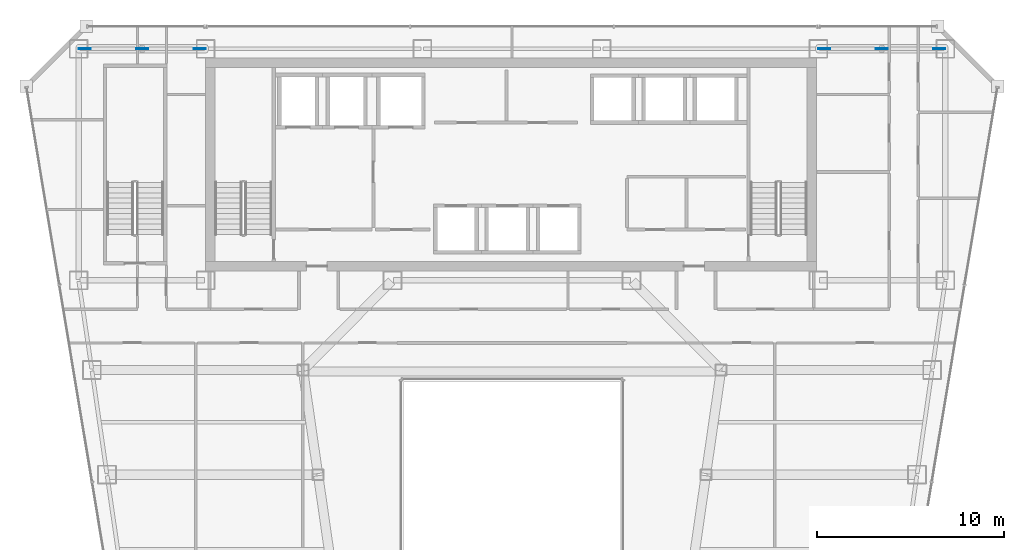
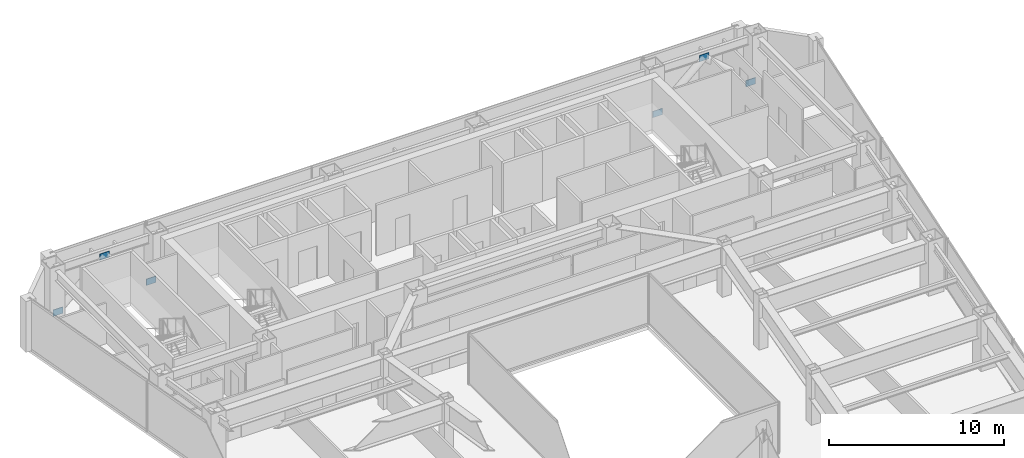
# One storey, part 30 of 37: 6 plates.
"""IFC4 building model written with IfcOpenShell, lengths in metres."""

import ifcopenshell
import ifcopenshell.guid

model = None  # the IFC model being written
_history = None  # IfcOwnerHistory: only IFC2X3 demands one
_inside = {}  # id of a spatial element -> (the spatial element, [elements in it])
_under = {}  # id of a project, library or spatial element -> (it, [spatial elements below it])
_declared = {}  # id of a project -> (the project, [libraries it declares])
_typed = {}  # id of a type object -> (the type object, [elements of that type])
_made_of = {}  # id of a material, layer set ... -> (it, [elements and type objects made of it])


def new_model(schema):
    """Start an empty IFC model of exactly this schema.

    Asked for "IFC4X3", IfcOpenShell would pick the latest addendum, in which some entities
    have other attributes; the version numbers below select the first issue.
    IFC2X3 requires an IfcOwnerHistory on every rooted entity: one is made here for all.
    """
    global model, _history
    if schema == "IFC4X3":
        model = ifcopenshell.file(schema_version=(4, 3, 0, 0))
    else:
        model = ifcopenshell.file(schema=schema)
    _inside.clear()
    _under.clear()
    _declared.clear()
    _typed.clear()
    _made_of.clear()
    _history = None
    if model.schema == "IFC2X3":
        org = make("IfcOrganization", Name="unknown")
        user = make(
            "IfcPersonAndOrganization",
            ThePerson=make("IfcPerson", FamilyName="unknown"),
            TheOrganization=org,
        )
        app = make(
            "IfcApplication",
            ApplicationDeveloper=org,
            Version="unknown",
            ApplicationFullName="unknown",
            ApplicationIdentifier="unknown",
        )
        _history = make(
            "IfcOwnerHistory",
            OwningUser=user,
            OwningApplication=app,
            ChangeAction="ADDED",
            CreationDate=0,
        )
    return model


def make(cls, **values):
    """One entity of the class cls with the attributes given. An attribute that is None is left unset."""
    return model.create_entity(
        cls, **{name: value for name, value in values.items() if value is not None}
    )


def rooted(cls, **values):
    """An entity with a GlobalId (a new one), such as an element, a storey or a relation."""
    return make(cls, GlobalId=ifcopenshell.guid.new(), OwnerHistory=_history, **values)


def si_unit(unit_type, name, prefix=None):
    """IfcSIUnit, for example si_unit("LENGTHUNIT", "METRE", prefix="MILLI")."""
    return make("IfcSIUnit", UnitType=unit_type, Prefix=prefix, Name=name)


def assignment(units):
    """IfcUnitAssignment: the units of a project."""
    return None if units is None else make("IfcUnitAssignment", Units=units)


def point(xyz):
    """IfcCartesianPoint."""
    return None if xyz is None else make("IfcCartesianPoint", Coordinates=xyz)


def direction(xyz):
    """IfcDirection."""
    return None if xyz is None else make("IfcDirection", DirectionRatios=xyz)


def frame(location, z_axis=None, x_axis=None):
    """IfcAxis2Placement3D, a coordinate frame: its origin and axes. An axis left out is left unset."""
    return make(
        "IfcAxis2Placement3D",
        Location=point(location),
        Axis=direction(z_axis),
        RefDirection=direction(x_axis),
    )


def frame_2d(location, x_axis=None):
    """IfcAxis2Placement2D, a coordinate frame in the plane: its origin and x axis."""
    return make(
        "IfcAxis2Placement2D", Location=point(location), RefDirection=direction(x_axis)
    )


def origin():
    """The frame at (0, 0, 0) with its axes left unset."""
    return frame((0.0, 0.0, 0.0))


def origin_2d():
    """The frame at (0, 0) in the plane with its x axis left unset."""
    return frame_2d((0.0, 0.0))


def place(relative_to, where):
    """IfcLocalPlacement: puts the frame where relative to a parent placement (None: the world)."""
    return make(
        "IfcLocalPlacement", PlacementRelTo=relative_to, RelativePlacement=where
    )


def context(
    kind, dimensions, precision=None, world=None, true_north=None, identifier=None
):
    """IfcGeometricRepresentationContext, for example the 3D "Model" context."""
    return make(
        "IfcGeometricRepresentationContext",
        ContextIdentifier=identifier,
        ContextType=kind,
        CoordinateSpaceDimension=dimensions,
        Precision=precision,
        WorldCoordinateSystem=world,
        TrueNorth=true_north,
    )


def subcontext(parent, identifier, kind, view, scale=None):
    """IfcGeometricRepresentationSubContext, for example "Body" below "Model"."""
    return make(
        "IfcGeometricRepresentationSubContext",
        ContextIdentifier=identifier,
        ContextType=kind,
        ParentContext=parent,
        TargetScale=scale,
        TargetView=view,
    )


def project(units=None, contexts=None):
    """IfcProject with its units and contexts."""
    return rooted(
        "IfcProject",
        Name="project",
        RepresentationContexts=contexts,
        UnitsInContext=assignment(units),
    )


def spatial(cls, under=None, at=None, **own):
    """A site, building, storey or space (cls), placed at a placement, below another one or the project."""
    s = rooted(cls, ObjectPlacement=at, **own)
    if under is not None:
        _under.setdefault(under.id(), (under, []))[1].append(s)
    return s


def profile(cls, at=None, kind="AREA", **sizes):
    """A parametric profile (cls). Its sizes go by their IFC names, for example OverallWidth=200.0."""
    return make(cls, ProfileType=kind, Position=at, **sizes)


def rectangle(**sizes):
    """IfcRectangleProfileDef."""
    return profile("IfcRectangleProfileDef", **sizes)


def extrude(swept, where, along, depth):
    """IfcExtrudedAreaSolid: the profile swept, set in the frame where, extruded along a direction by depth."""
    return make(
        "IfcExtrudedAreaSolid",
        SweptArea=swept,
        Position=where,
        ExtrudedDirection=direction(along),
        Depth=depth,
    )


def shape(context_of_items, identifier, shape_type, items):
    """IfcShapeRepresentation: the items that make up one representation, for example the "Body"."""
    return make(
        "IfcShapeRepresentation",
        ContextOfItems=context_of_items,
        RepresentationIdentifier=identifier,
        RepresentationType=shape_type,
        Items=items,
    )


def material(Name=None, Category=None):
    """IfcMaterial."""
    return make("IfcMaterial", Name=Name, Category=Category)


def layer(
    of_material, thickness, ventilated=None, Name=None, Category=None, Priority=None
):
    """IfcMaterialLayer: one layer of a wall or slab, of a material (None: an air gap)."""
    return make(
        "IfcMaterialLayer",
        Material=of_material,
        LayerThickness=thickness,
        IsVentilated=ventilated,
        Name=Name,
        Category=Category,
        Priority=Priority,
    )


def layer_set(layers, Name=None):
    """IfcMaterialLayerSet."""
    return make("IfcMaterialLayerSet", MaterialLayers=layers, LayerSetName=Name)


def made_of(thing, what):
    """Note that an element or type object is made of a material, layer set ...; save() writes the relation."""
    if what is not None:
        _made_of.setdefault(what.id(), (what, []))[1].append(thing)
    return thing


def type_object(cls, material=None, **own):
    """A type object (cls), such as IfcWallType, which elements share."""
    return made_of(rooted(cls, **own), material)


def element(
    cls,
    number,
    at=None,
    inside=None,
    cuts=None,
    type_object=None,
    material=None,
    context=None,
    identifier="Body",
    shape_type=None,
    held_by="IfcProductDefinitionShape",
    body=None,
    shapes=None,
    **own,
):
    """One element of the class cls, such as IfcWall. Its Tag is "e" and its number.

    at: its placement. inside: the storey or other place that contains it. cuts: it is an
    opening in that element (IfcRelVoidsElement). A single representation is given by context,
    identifier, shape_type and body (its items); several are given by shapes. held_by: the class
    of the entity that holds the representations. save() writes the other relations.
    """
    e = rooted(cls, Tag="e%d" % number, ObjectPlacement=at, **own)
    if body is not None:
        shapes = [shape(context, identifier, shape_type, body)]
    if shapes is not None:
        e.Representation = make(held_by, Representations=shapes)
    if inside is not None:
        _inside.setdefault(inside.id(), (inside, []))[1].append(e)
    if cuts is not None:
        rooted(
            "IfcRelVoidsElement", RelatingBuildingElement=cuts, RelatedOpeningElement=e
        )
    if type_object is not None:
        _typed.setdefault(type_object.id(), (type_object, []))[1].append(e)
    return made_of(e, material)


def aggregate(whole, parts):
    """IfcRelAggregates: a whole, such as a stair, and the parts it consists of."""
    return rooted("IfcRelAggregates", RelatingObject=whole, RelatedObjects=parts)


def save(model, path):
    """Write the relations noted so far, then the file.

    IfcRelAggregates (storeys below a building ...), IfcRelContainedInSpatialStructure (elements
    in a storey), IfcRelDefinesByType, IfcRelAssociatesMaterial and IfcRelDeclares: one each for
    every whole, place, type object, material and project.
    """
    for whole, parts in _under.values():
        aggregate(whole, parts)
    for where, things in _inside.values():
        rooted(
            "IfcRelContainedInSpatialStructure",
            RelatedElements=things,
            RelatingStructure=where,
        )
    for kind, things in _typed.values():
        rooted("IfcRelDefinesByType", RelatedObjects=things, RelatingType=kind)
    for what, things in _made_of.values():
        rooted("IfcRelAssociatesMaterial", RelatedObjects=things, RelatingMaterial=what)
    for by, libraries in _declared.values():
        rooted("IfcRelDeclares", RelatingContext=by, RelatedDefinitions=libraries)
    model.write(path)


model = new_model("IFC4")

# Units and contexts
model_context = context("Model", 3, precision=1e-05, world=origin(), true_north=direction((0.0, 1.0)))
body_context = subcontext(model_context, "Body", "Model", "MODEL_VIEW")
ifc_project = project(units=[si_unit("LENGTHUNIT", "METRE"), si_unit("AREAUNIT", "SQUARE_METRE"), si_unit("VOLUMEUNIT", "CUBIC_METRE"), si_unit("PLANEANGLEUNIT", "RADIAN"), si_unit("MASSUNIT", "GRAM", prefix="KILO")], contexts=[model_context])

# Site, building, storey
site_placement = place(None, origin())
site = spatial("IfcSite", under=ifc_project, at=site_placement, CompositionType="ELEMENT")
building_placement = place(site_placement, origin())
building = spatial("IfcBuilding", under=site, at=building_placement, Name="Saevonmaru Cultural Tower", CompositionType="ELEMENT")
storey_placement = place(building_placement, frame((0.0, 0.0, 163.800048828125)))
storey = spatial("IfcBuildingStorey", under=building, at=storey_placement, Name="L36", CompositionType="ELEMENT", Elevation=163.800048828125)

# Plates
ifc_material = material(Name="Steel HSA600 (600 MPa)", Category="steel")
ifc_layer = layer(ifc_material, 0.0400390625, Name="Steel HSA600 (600 MPa)")
ifc_layer_set = layer_set([ifc_layer], Name="Steel HSA600 (600 MPa)")
plate_type = type_object("IfcPlateType", Name="PL-GUSSET-EXT", PredefinedType="USERDEFINED", material=ifc_layer_set)
for number, where, z_axis, x_axis, name in (
    (1, (10.199951171875, 54.800048828125, 2.85009765625), (0.0, 0.0, 1.0), (1.0, 0.0, 0.0), "L36 Perimeter Tube Gusset Plate"),
    (2, (7.1201171875, 54.800048828125, 0.02001953125), (0.0, 0.0, 1.0), (1.0, 0.0, 0.0), "L36 Perimeter Tube Gusset Plate"),
    (3, (13.280029296875, 54.800048828125, 0.02001953125), (0.0, 0.0, 1.0), (1.0, 0.0, 0.0), "L36 Perimeter Tube Gusset Plate"),
    (4, (49.800048828125, 54.800048828125, 2.85009765625), (0.0, 0.0, 1.0), (1.0, 0.0, 0.0), "L36 Perimeter Tube Gusset Plate"),
    (5, (46.719970703125, 54.800048828125, 0.02001953125), (0.0, 0.0, 1.0), (1.0, 0.0, 0.0), "L36 Perimeter Tube Gusset Plate"),
    (6, (52.8798828125, 54.800048828125, 0.02001953125), (0.0, 0.0, 1.0), (1.0, 0.0, 0.0), "L36 Perimeter Tube Gusset Plate"),
):
    element("IfcPlate", number, at=place(storey_placement, frame(where, z_axis=z_axis, x_axis=x_axis)), inside=storey, type_object=plate_type, Name=name, ObjectType="GUSSET_PLATE", PredefinedType="USERDEFINED", context=body_context, shape_type="SweptSolid", body=[
        extrude(rectangle(XDim=0.639892578125, YDim=0.0400390625, at=origin_2d()), origin(), (0.0, 0.0, 1.0), 0.43994140625),
    ])

save(model, "model.ifc")
